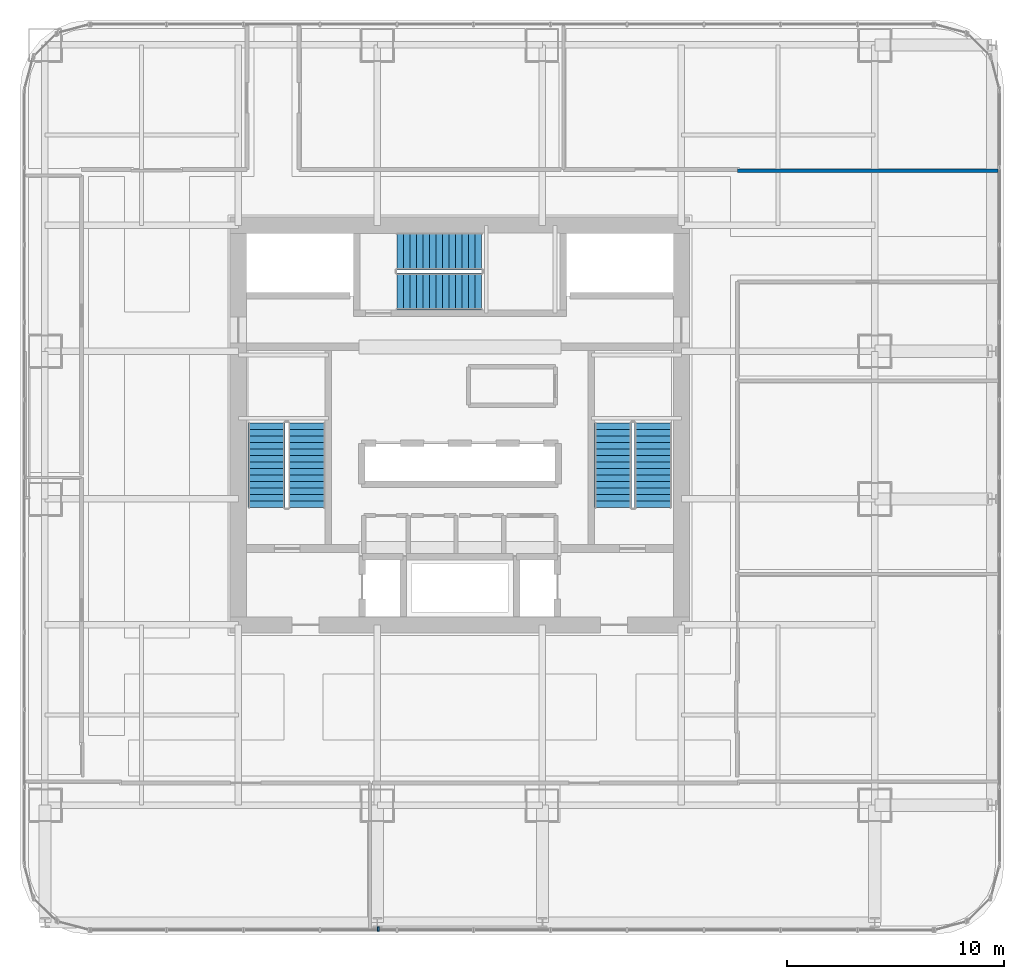
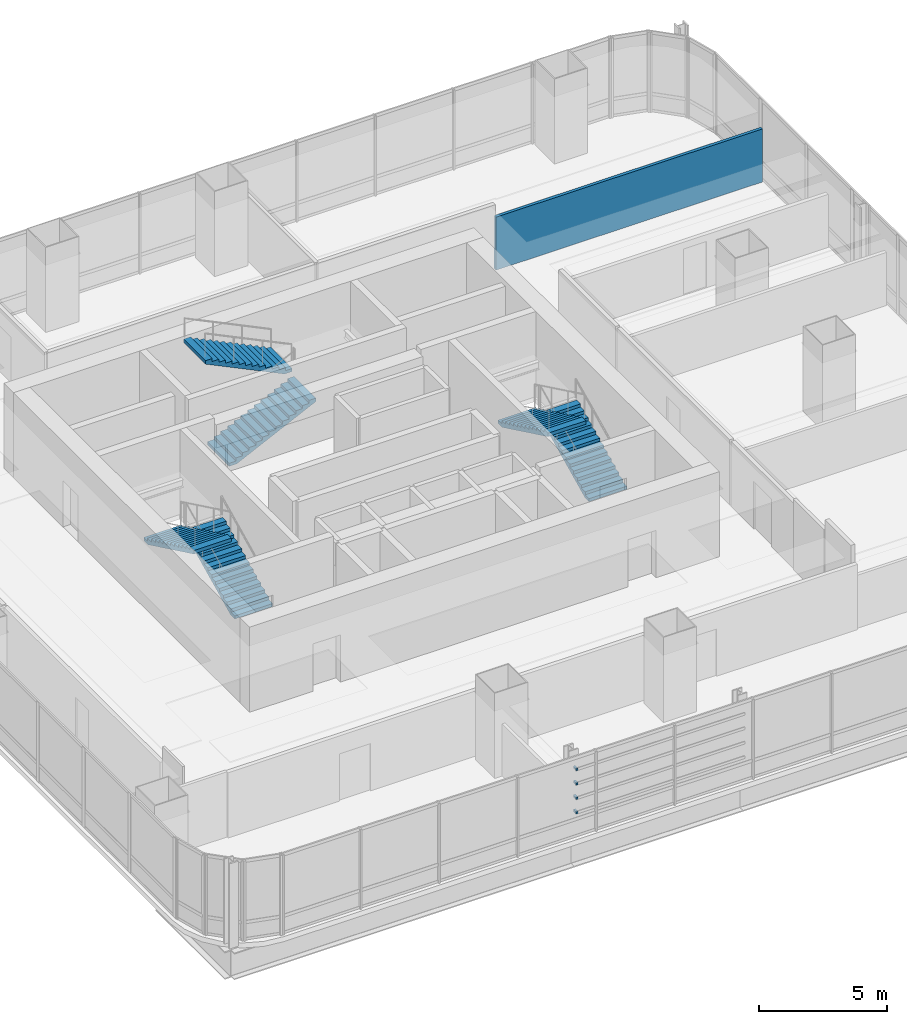
# One storey, part 29 of 35: 6 stair flights, 4 discrete accessories, 1 wall, 3 elements without a shape of their own.
"""IFC4 building model written with IfcOpenShell, lengths in metres."""

from ifc_helpers import new_model, si_unit, direction, frame, frame_2d, origin, origin_2d, place, context, subcontext, project, spatial, polyline, rectangle, outline, extrude, material, layer, layer_set, type_object, element, aggregate, save


model = new_model("IFC4")

# Units and contexts
model_context = context("Model", 3, precision=1e-05, world=origin(), true_north=direction((0.0, 1.0)))
body_context = subcontext(model_context, "Body", "Model", "MODEL_VIEW")
ifc_project = project(units=[si_unit("LENGTHUNIT", "METRE"), si_unit("AREAUNIT", "SQUARE_METRE"), si_unit("VOLUMEUNIT", "CUBIC_METRE"), si_unit("PLANEANGLEUNIT", "RADIAN"), si_unit("MASSUNIT", "GRAM", prefix="KILO")], contexts=[model_context])

# Site, building, storey
site_placement = place(None, origin())
site = spatial("IfcSite", under=ifc_project, at=site_placement, CompositionType="ELEMENT")
building_placement = place(site_placement, origin())
building = spatial("IfcBuilding", under=site, at=building_placement, Name="Punatoya Terracotta Tower", CompositionType="ELEMENT")
storey_placement = place(building_placement, frame((0.0, 0.0, 64.64990234375)))
storey = spatial("IfcBuildingStorey", under=building, at=storey_placement, Name="L14", CompositionType="ELEMENT", Elevation=64.64990234375)

# Wall
ifc_material_1 = material(Name="Acoustic Gypsum + Steel Stud", Category="steel")
ifc_layer = layer(ifc_material_1, 0.139892578125)
ifc_layer_set = layer_set([ifc_layer], Name="Acoustic Gypsum + Steel Stud")
wall_type = type_object("IfcWallType", Name="WL-OFF-140", PredefinedType="PARTITIONING", material=ifc_layer_set)
wall_placement = place(storey_placement, frame((24.77001953125, 11.7099609375, 0.0), z_axis=(0.0, 0.0, 1.0), x_axis=(-1.0, 0.0, 0.0)))
element("IfcWall", 1, at=wall_placement, inside=storey, type_object=wall_type, Name="L14 Open-Plan Symposium Colloquium Room Partition 37", PredefinedType="PARTITIONING", context=body_context, shape_type="SweptSolid", body=[
    extrude(rectangle(XDim=12.0, YDim=0.139892578125, at=frame_2d((6.0, 0.0))), origin(), (0.0, 0.0, 1.0), 2.524169921875),
])

# Stair, stair flights
ifc_material_2 = material(Name="Concrete C40/50", Category="concrete")
stair_type_1 = type_object("IfcStairType", Name="STR-CORE-1550", PredefinedType="HALF_TURN_STAIR", material=ifc_material_2)
stair_1_placement = place(storey_placement, origin())
stair_1 = element("IfcStair", 2, at=stair_1_placement, inside=storey, type_object=stair_type_1, Name="L14 Protected Core Exit Stair ST-1", PredefinedType="HALF_TURN_STAIR")
stair_flight_type_1 = type_object("IfcStairFlightType", Name="SFL-CORE-1550", PredefinedType="STRAIGHT", material=ifc_material_2)
stair_flight_1_placement = place(storey_placement, frame((-7.050048828125, -3.800048828125, 0.0), z_axis=(0.0, 0.0, 1.0), x_axis=(0.0, 1.0, 0.0)))
stair_flight_1 = element("IfcStairFlight", 3, at=stair_flight_1_placement, type_object=stair_flight_type_1, Name="ST-1 flight 1", NumberOfRisers=14, NumberOfTreads=13, PredefinedType="STRAIGHT", RiserHeight=0.144642857, TreadLength=0.3, context=body_context, shape_type="SweptSolid", body=[
    extrude(outline(polyline([(0.0, 0.0), (0.0, 0.14453125), (0.300048828125, 0.14453125), (0.300048828125, 0.289306640625), (0.60009765625, 0.289306640625), (0.60009765625, 0.433837890625), (0.89990234375, 0.433837890625), (0.89990234375, 0.57861328125), (1.199951171875, 0.57861328125), (1.199951171875, 0.72314453125), (1.5, 0.72314453125), (1.5, 0.867919921875), (1.800048828125, 0.867919921875), (1.800048828125, 1.012451171875), (2.10009765625, 1.012451171875), (2.10009765625, 1.1572265625), (2.39990234375, 1.1572265625), (2.39990234375, 1.3017578125), (2.699951171875, 1.3017578125), (2.699951171875, 1.446533203125), (3.0, 1.446533203125), (3.0, 1.591064453125), (3.300048828125, 1.591064453125), (3.300048828125, 1.735595703125), (3.60009765625, 1.735595703125), (3.60009765625, 1.88037109375), (3.89990234375, 1.88037109375), (3.89990234375, 2.02490234375), (3.89990234375, 1.7138671875), (0.34521484375, 0.0), (0.0, 0.0)])), frame((0.0, 0.85009765625, 0.0), z_axis=(0.0, -1.0, 0.0), x_axis=(1.0, 0.0, 0.0)), (0.0, 0.0, 1.0), 1.699951171875),
])
stair_flight_2_placement = place(storey_placement, frame((-8.89990234375, 0.10009765625, 2.025146484375), z_axis=(0.0, 0.0, 1.0), x_axis=(0.0, -1.0, 0.0)))
stair_flight_2 = element("IfcStairFlight", 4, at=stair_flight_2_placement, type_object=stair_flight_type_1, Name="ST-1 flight 2", NumberOfRisers=14, NumberOfTreads=13, PredefinedType="STRAIGHT", RiserHeight=0.144642857, TreadLength=0.3, context=body_context, shape_type="SweptSolid", body=[
    extrude(outline(polyline([(0.0, 0.0), (0.0, 0.14453125), (0.300048828125, 0.14453125), (0.300048828125, 0.289306640625), (0.60009765625, 0.289306640625), (0.60009765625, 0.433837890625), (0.89990234375, 0.433837890625), (0.89990234375, 0.57861328125), (1.199951171875, 0.57861328125), (1.199951171875, 0.72314453125), (1.5, 0.72314453125), (1.5, 0.867919921875), (1.800048828125, 0.867919921875), (1.800048828125, 1.012451171875), (2.10009765625, 1.012451171875), (2.10009765625, 1.1572265625), (2.39990234375, 1.1572265625), (2.39990234375, 1.3017578125), (2.699951171875, 1.3017578125), (2.699951171875, 1.446533203125), (3.0, 1.446533203125), (3.0, 1.591064453125), (3.300048828125, 1.591064453125), (3.300048828125, 1.735595703125), (3.60009765625, 1.735595703125), (3.60009765625, 1.88037109375), (3.89990234375, 1.88037109375), (3.89990234375, 2.02490234375), (3.89990234375, 1.7138671875), (0.34521484375, 0.0), (0.0, 0.0)])), frame((0.0, 0.85009765625, 0.0), z_axis=(0.0, -1.0, 0.0), x_axis=(1.0, 0.0, 0.0)), (0.0, 0.0, 1.0), 1.699951171875),
])
aggregate(stair_1, [stair_flight_1, stair_flight_2])

stair_type_2 = type_object("IfcStairType", Name="STR-LOB-1650", PredefinedType="HALF_TURN_STAIR", material=ifc_material_2)
stair_2_placement = place(storey_placement, origin())
stair_2 = element("IfcStair", 5, at=stair_2_placement, inside=storey, type_object=stair_type_2, Name="L14 Protected Core Exit Stair ST-2", PredefinedType="HALF_TURN_STAIR")
stair_flight_type_2 = type_object("IfcStairFlightType", Name="SFL-LOB-1650", PredefinedType="STRAIGHT", material=ifc_material_2)
stair_flight_3_placement = place(storey_placement, frame((8.89990234375, -3.800048828125, 0.0), z_axis=(0.0, 0.0, 1.0), x_axis=(0.0, 1.0, 0.0)))
stair_flight_3 = element("IfcStairFlight", 6, at=stair_flight_3_placement, type_object=stair_flight_type_2, Name="ST-2 flight 1", NumberOfRisers=14, NumberOfTreads=13, PredefinedType="STRAIGHT", RiserHeight=0.144642857, TreadLength=0.3, context=body_context, shape_type="SweptSolid", body=[
    extrude(outline(polyline([(0.0, 0.0), (0.0, 0.14453125), (0.300048828125, 0.14453125), (0.300048828125, 0.289306640625), (0.60009765625, 0.289306640625), (0.60009765625, 0.433837890625), (0.89990234375, 0.433837890625), (0.89990234375, 0.57861328125), (1.199951171875, 0.57861328125), (1.199951171875, 0.72314453125), (1.5, 0.72314453125), (1.5, 0.867919921875), (1.800048828125, 0.867919921875), (1.800048828125, 1.012451171875), (2.10009765625, 1.012451171875), (2.10009765625, 1.1572265625), (2.39990234375, 1.1572265625), (2.39990234375, 1.3017578125), (2.699951171875, 1.3017578125), (2.699951171875, 1.446533203125), (3.0, 1.446533203125), (3.0, 1.591064453125), (3.300048828125, 1.591064453125), (3.300048828125, 1.735595703125), (3.60009765625, 1.735595703125), (3.60009765625, 1.88037109375), (3.89990234375, 1.88037109375), (3.89990234375, 2.02490234375), (3.89990234375, 1.7138671875), (0.34521484375, 0.0), (0.0, 0.0)])), frame((0.0, 0.85009765625, 0.0), z_axis=(0.0, -1.0, 0.0), x_axis=(1.0, 0.0, 0.0)), (0.0, 0.0, 1.0), 1.699951171875),
])
stair_flight_4_placement = place(storey_placement, frame((7.050048828125, 0.10009765625, 2.025146484375), z_axis=(0.0, 0.0, 1.0), x_axis=(0.0, -1.0, 0.0)))
stair_flight_4 = element("IfcStairFlight", 7, at=stair_flight_4_placement, type_object=stair_flight_type_2, Name="ST-2 flight 2", NumberOfRisers=14, NumberOfTreads=13, PredefinedType="STRAIGHT", RiserHeight=0.144642857, TreadLength=0.3, context=body_context, shape_type="SweptSolid", body=[
    extrude(outline(polyline([(0.0, 0.0), (0.0, 0.14453125), (0.300048828125, 0.14453125), (0.300048828125, 0.289306640625), (0.60009765625, 0.289306640625), (0.60009765625, 0.433837890625), (0.89990234375, 0.433837890625), (0.89990234375, 0.57861328125), (1.199951171875, 0.57861328125), (1.199951171875, 0.72314453125), (1.5, 0.72314453125), (1.5, 0.867919921875), (1.800048828125, 0.867919921875), (1.800048828125, 1.012451171875), (2.10009765625, 1.012451171875), (2.10009765625, 1.1572265625), (2.39990234375, 1.1572265625), (2.39990234375, 1.3017578125), (2.699951171875, 1.3017578125), (2.699951171875, 1.446533203125), (3.0, 1.446533203125), (3.0, 1.591064453125), (3.300048828125, 1.591064453125), (3.300048828125, 1.735595703125), (3.60009765625, 1.735595703125), (3.60009765625, 1.88037109375), (3.89990234375, 1.88037109375), (3.89990234375, 2.02490234375), (3.89990234375, 1.7138671875), (0.34521484375, 0.0), (0.0, 0.0)])), frame((0.0, 0.85009765625, 0.0), z_axis=(0.0, -1.0, 0.0), x_axis=(1.0, 0.0, 0.0)), (0.0, 0.0, 1.0), 1.699951171875),
])
aggregate(stair_2, [stair_flight_3, stair_flight_4])

stair_type_3 = type_object("IfcStairType", Name="STR-TER-1450", PredefinedType="HALF_TURN_STAIR", material=ifc_material_2)
stair_3_placement = place(storey_placement, origin())
stair_3 = element("IfcStair", 8, at=stair_3_placement, inside=storey, type_object=stair_type_3, Name="L14 Protected Core Exit Stair ST-3", PredefinedType="HALF_TURN_STAIR")
stair_flight_type_3 = type_object("IfcStairFlightType", Name="SFL-TER-1450", PredefinedType="STRAIGHT", material=ifc_material_2)
stair_flight_5_placement = place(storey_placement, frame((-2.89990234375, 6.14990234375, 0.0), z_axis=(0.0, 0.0, 1.0), x_axis=(1.0, 0.0, 0.0)))
stair_flight_5 = element("IfcStairFlight", 9, at=stair_flight_5_placement, type_object=stair_flight_type_3, Name="ST-3 flight 1", NumberOfRisers=14, NumberOfTreads=13, PredefinedType="STRAIGHT", RiserHeight=0.144642857, TreadLength=0.3, context=body_context, shape_type="SweptSolid", body=[
    extrude(outline(polyline([(0.0, 0.0), (0.0, 0.14453125), (0.300048828125, 0.14453125), (0.300048828125, 0.289306640625), (0.60009765625, 0.289306640625), (0.60009765625, 0.433837890625), (0.89990234375, 0.433837890625), (0.89990234375, 0.57861328125), (1.199951171875, 0.57861328125), (1.199951171875, 0.72314453125), (1.5, 0.72314453125), (1.5, 0.867919921875), (1.800048828125, 0.867919921875), (1.800048828125, 1.012451171875), (2.10009765625, 1.012451171875), (2.10009765625, 1.1572265625), (2.39990234375, 1.1572265625), (2.39990234375, 1.3017578125), (2.699951171875, 1.3017578125), (2.699951171875, 1.446533203125), (3.0, 1.446533203125), (3.0, 1.591064453125), (3.300048828125, 1.591064453125), (3.300048828125, 1.735595703125), (3.60009765625, 1.735595703125), (3.60009765625, 1.88037109375), (3.89990234375, 1.88037109375), (3.89990234375, 2.02490234375), (3.89990234375, 1.7138671875), (0.34521484375, 0.0), (0.0, 0.0)])), frame((0.0, 0.85009765625, 0.0), z_axis=(0.0, -1.0, 0.0), x_axis=(1.0, 0.0, 0.0)), (0.0, 0.0, 1.0), 1.699951171875),
])
stair_flight_6_placement = place(storey_placement, frame((1.0, 8.0, 2.025146484375), z_axis=(0.0, 0.0, 1.0), x_axis=(-1.0, 0.0, 0.0)))
stair_flight_6 = element("IfcStairFlight", 10, at=stair_flight_6_placement, type_object=stair_flight_type_3, Name="ST-3 flight 2", NumberOfRisers=14, NumberOfTreads=13, PredefinedType="STRAIGHT", RiserHeight=0.144642857, TreadLength=0.3, context=body_context, shape_type="SweptSolid", body=[
    extrude(outline(polyline([(0.0, 0.0), (0.0, 0.14453125), (0.300048828125, 0.14453125), (0.300048828125, 0.289306640625), (0.60009765625, 0.289306640625), (0.60009765625, 0.433837890625), (0.89990234375, 0.433837890625), (0.89990234375, 0.57861328125), (1.199951171875, 0.57861328125), (1.199951171875, 0.72314453125), (1.5, 0.72314453125), (1.5, 0.867919921875), (1.800048828125, 0.867919921875), (1.800048828125, 1.012451171875), (2.10009765625, 1.012451171875), (2.10009765625, 1.1572265625), (2.39990234375, 1.1572265625), (2.39990234375, 1.3017578125), (2.699951171875, 1.3017578125), (2.699951171875, 1.446533203125), (3.0, 1.446533203125), (3.0, 1.591064453125), (3.300048828125, 1.591064453125), (3.300048828125, 1.735595703125), (3.60009765625, 1.735595703125), (3.60009765625, 1.88037109375), (3.89990234375, 1.88037109375), (3.89990234375, 2.02490234375), (3.89990234375, 1.7138671875), (0.34521484375, 0.0), (0.0, 0.0)])), frame((0.0, 0.85009765625, 0.0), z_axis=(0.0, -1.0, 0.0), x_axis=(1.0, 0.0, 0.0)), (0.0, 0.0, 1.0), 1.699951171875),
])
aggregate(stair_3, [stair_flight_5, stair_flight_6])

# Discrete accessories
ifc_material_3 = material(Name="Steel S355", Category="steel")
discrete_accessory_type = type_object("IfcDiscreteAccessoryType", Name="ACC-BRK-220", PredefinedType="BRACKET", material=ifc_material_3)
for number, where, z_axis, x_axis, name in (
    (11, (-3.75, -23.193115234375, 1.10009765625), (0.0, 0.0, 1.0), (1.0, 0.0, 0.0), "L14 Baguette Louvre Column Bracket BAG-L14-S-01"),
    (12, (-3.75, -23.193115234375, 1.786865234375), (0.0, 0.0, 1.0), (1.0, 0.0, 0.0), "L14 Baguette Louvre Column Bracket BAG-L14-S-02"),
    (13, (-3.75, -23.193115234375, 2.473388671875), (0.0, 0.0, 1.0), (1.0, 0.0, 0.0), "L14 Baguette Louvre Column Bracket BAG-L14-S-03"),
    (14, (-3.75, -23.193115234375, 3.16015625), (0.0, 0.0, 1.0), (1.0, 0.0, 0.0), "L14 Baguette Louvre Column Bracket BAG-L14-S-04"),
):
    element("IfcDiscreteAccessory", number, at=place(storey_placement, frame(where, z_axis=z_axis, x_axis=x_axis)), inside=storey, type_object=discrete_accessory_type, Name=name, PredefinedType="BRACKET", context=body_context, shape_type="SweptSolid", body=[
        extrude(rectangle(XDim=0.090087890625, YDim=0.219970703125, at=origin_2d()), origin(), (0.0, 0.0, 1.0), 0.10009765625),
    ])

save(model, "model.ifc")
